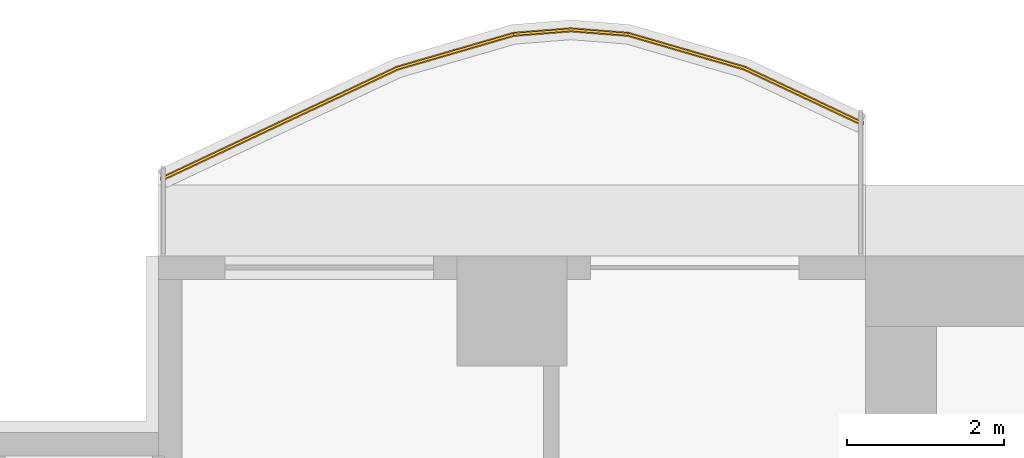
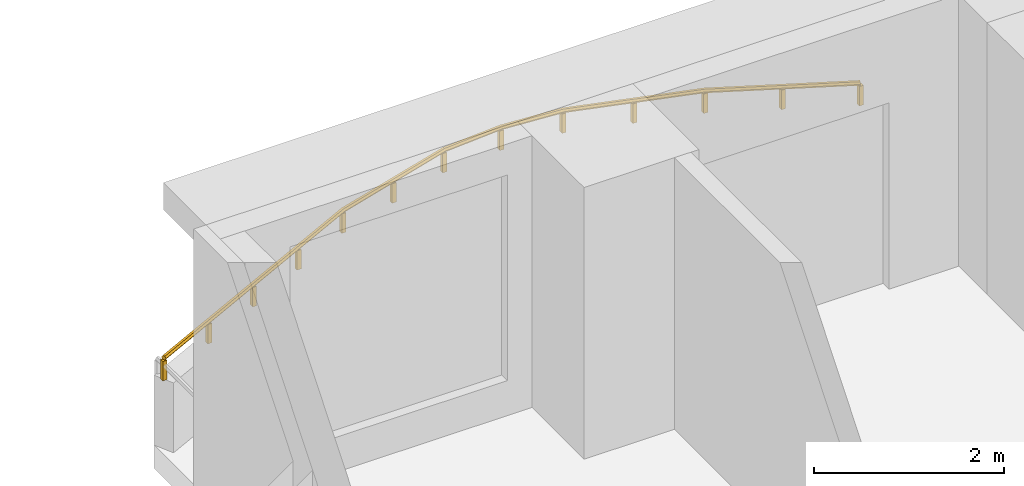
# One storey, part 13 of 14: 1 railing.
"""IFC4 building model written with IfcOpenShell, lengths in metres."""

from ifc_helpers import new_model, si_unit, direction, frame, origin, origin_2d, place, context, subcontext, project, spatial, polyline, rectangle, outline, extrude, material, type_object, element, save


model = new_model("IFC4")

# Units and contexts
model_context = context("Model", 3, precision=1e-05, world=origin(), true_north=direction((0.0, 1.0)))
body_context = subcontext(model_context, "Body", "Model", "MODEL_VIEW")
ifc_project = project(units=[si_unit("LENGTHUNIT", "METRE"), si_unit("AREAUNIT", "SQUARE_METRE"), si_unit("VOLUMEUNIT", "CUBIC_METRE"), si_unit("PLANEANGLEUNIT", "RADIAN"), si_unit("MASSUNIT", "GRAM", prefix="KILO")], contexts=[model_context])

# Site, building, storey
site_placement = place(None, origin())
site = spatial("IfcSite", under=ifc_project, at=site_placement, CompositionType="ELEMENT")
building_placement = place(site_placement, origin())
building = spatial("IfcBuilding", under=site, at=building_placement, Name="Orbiselva Terraces", CompositionType="ELEMENT")
storey_placement = place(building_placement, frame((0.0, 0.0, 45.4)))
storey = spatial("IfcBuildingStorey", under=building, at=storey_placement, Name="L11", CompositionType="ELEMENT", Elevation=45.4)

# Railing
ifc_material = material(Name="Bonded two-ply safety glass balustrade, stainless steel posts", Category="steel")
railing_type = type_object("IfcRailingType", Name="ENV-BALUSTRADE-1200", PredefinedType="BALUSTRADE", material=ifc_material)
railing_placement = place(storey_placement, frame((-13.553191, 24.186882, 0.9)))
element("IfcRailing", 1, at=railing_placement, inside=storey, type_object=railing_type, Name="Balcony balustrade L11 NW", PredefinedType="BALUSTRADE", context=body_context, shape_type="SweptSolid", body=[
    extrude(outline(polyline([(0.028868, 0.0), (0.014434, 0.025), (-0.014434, 0.025), (-0.028868, 0.0), (-0.014434, -0.025), (0.014434, -0.025), (0.028868, 0.0)])), frame((0.0, 0.0, 0.275), z_axis=(-0.904944359461, 0.425529912322, 0.0), x_axis=(-0.425529912322, -0.904944359461, 0.0)), (0.0, 0.0, 1.0), 1.647746),
    extrude(outline(polyline([(0.028868, 0.0), (0.014434, 0.025), (-0.014434, 0.025), (-0.028868, 0.0), (-0.014434, -0.025), (0.014434, -0.025), (0.028868, 0.0)])), frame((-1.491118, 0.701165, 0.275), z_axis=(-0.960270317007, 0.279071528957, 0.0), x_axis=(-0.279071528957, -0.960270317007, 0.0)), (0.0, 0.0, 1.0), 1.539408),
    extrude(outline(polyline([(0.028868, 0.0), (0.014434, 0.025), (-0.014434, 0.025), (-0.028868, 0.0), (-0.014434, -0.025), (0.014434, -0.025), (0.028868, 0.0)])), frame((-2.969366, 1.13077, 0.275), z_axis=(-0.996947916106, 0.078069536776, 0.0), x_axis=(-0.078069536776, -0.996947916106, 0.0)), (0.0, 0.0, 1.0), 0.72967),
    extrude(outline(polyline([(0.028868, 0.0), (0.014434, 0.025), (-0.014434, 0.025), (-0.028868, 0.0), (-0.014434, -0.025), (0.014434, -0.025), (0.028868, 0.0)])), frame((-3.696809, 1.187735, 0.275), z_axis=(-0.996947916106, -0.078069536776, 0.0), x_axis=(0.078069536776, -0.996947916106, 0.0)), (0.0, 0.0, 1.0), 0.72967),
    extrude(outline(polyline([(0.028868, 0.0), (0.014434, 0.025), (-0.014434, 0.025), (-0.028868, 0.0), (-0.014434, -0.025), (0.014434, -0.025), (0.028868, 0.0)])), frame((-4.424252, 1.13077, 0.275), z_axis=(-0.960270317007, -0.279071528957, 0.0), x_axis=(0.279071528957, -0.960270317007, 0.0)), (0.0, 0.0, 1.0), 1.539408),
    extrude(outline(polyline([(0.028868, 0.0), (0.014434, 0.025), (-0.014434, 0.025), (-0.028868, 0.0), (-0.014434, -0.025), (0.014434, -0.025), (0.028868, 0.0)])), frame((-5.9025, 0.701165, 0.275), z_axis=(-0.904944359461, -0.425529912322, 0.0), x_axis=(0.425529912322, -0.904944359461, 0.0)), (0.0, 0.0, 1.0), 1.647746),
    extrude(outline(polyline([(0.028868, 0.0), (0.014434, 0.025), (-0.014434, 0.025), (-0.028868, 0.0), (-0.014434, -0.025), (0.014434, -0.025), (0.028868, 0.0)])), frame((-7.393618, 0.0, 0.275), z_axis=(-0.904944257823, -0.425530128467, 0.0), x_axis=(0.425530128467, -0.904944257823, 0.0)), (0.0, 0.0, 1.0), 1.657561),
    extrude(rectangle(XDim=0.05, YDim=0.05, at=origin_2d()), origin(), (0.0, 0.0, 1.0), 0.25),
    extrude(rectangle(XDim=0.05, YDim=0.05, at=origin_2d()), frame((-0.745559, 0.350582, 0.0)), (0.0, 0.0, 1.0), 0.25),
    extrude(rectangle(XDim=0.05, YDim=0.05, at=origin_2d()), frame((-1.491118, 0.701165, 0.0)), (0.0, 0.0, 1.0), 0.25),
    extrude(rectangle(XDim=0.05, YDim=0.05, at=origin_2d()), frame((-2.230242, 0.915967, 0.0)), (0.0, 0.0, 1.0), 0.25),
    extrude(rectangle(XDim=0.05, YDim=0.05, at=origin_2d()), frame((-2.969366, 1.13077, 0.0)), (0.0, 0.0, 1.0), 0.25),
    extrude(rectangle(XDim=0.05, YDim=0.05, at=origin_2d()), frame((-3.696809, 1.187735, 0.0)), (0.0, 0.0, 1.0), 0.25),
    extrude(rectangle(XDim=0.05, YDim=0.05, at=origin_2d()), frame((-4.424252, 1.13077, 0.0)), (0.0, 0.0, 1.0), 0.25),
    extrude(rectangle(XDim=0.05, YDim=0.05, at=origin_2d()), frame((-5.163376, 0.915967, 0.0)), (0.0, 0.0, 1.0), 0.25),
    extrude(rectangle(XDim=0.05, YDim=0.05, at=origin_2d()), frame((-5.9025, 0.701165, 0.0)), (0.0, 0.0, 1.0), 0.25),
    extrude(rectangle(XDim=0.05, YDim=0.05, at=origin_2d()), frame((-6.648059, 0.350582, 0.0)), (0.0, 0.0, 1.0), 0.25),
    extrude(rectangle(XDim=0.05, YDim=0.05, at=origin_2d()), frame((-7.393618, 0.0, 0.0)), (0.0, 0.0, 1.0), 0.25),
    extrude(rectangle(XDim=0.05, YDim=0.05, at=origin_2d()), frame((-8.143618, -0.352671, 0.0)), (0.0, 0.0, 1.0), 0.25),
    extrude(rectangle(XDim=0.05, YDim=0.05, at=origin_2d()), frame((-8.893618, -0.705342, 0.0)), (0.0, 0.0, 1.0), 0.25),
])

save(model, "model.ifc")
